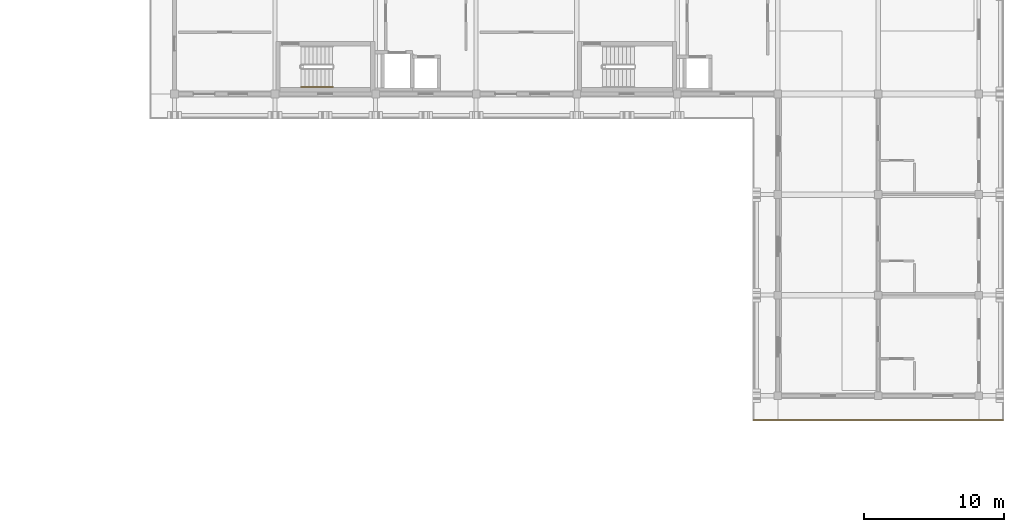
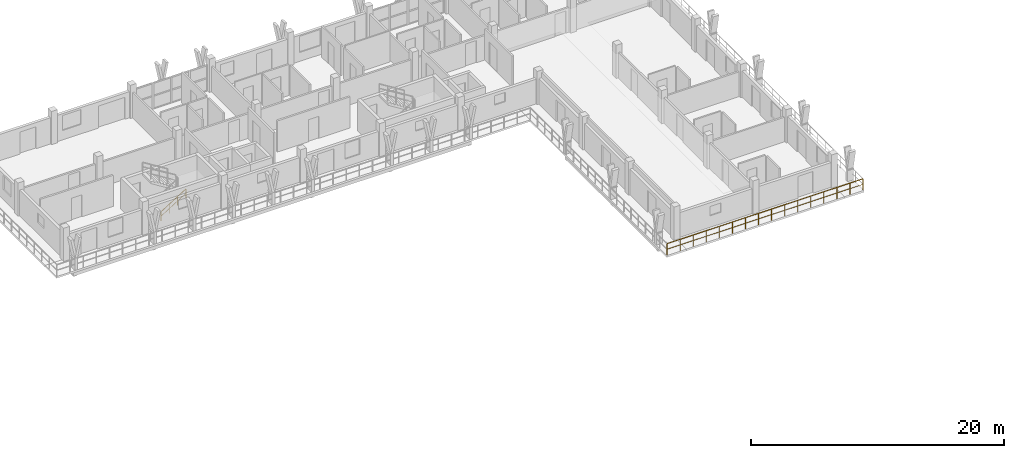
# One storey, part 64 of 67: 2 railings.
"""IFC4 building model written with IfcOpenShell, lengths in metres."""

import ifcopenshell
import ifcopenshell.guid

model = None  # the IFC model being written
_history = None  # IfcOwnerHistory: only IFC2X3 demands one
_inside = {}  # id of a spatial element -> (the spatial element, [elements in it])
_under = {}  # id of a project, library or spatial element -> (it, [spatial elements below it])
_declared = {}  # id of a project -> (the project, [libraries it declares])
_typed = {}  # id of a type object -> (the type object, [elements of that type])
_made_of = {}  # id of a material, layer set ... -> (it, [elements and type objects made of it])


def new_model(schema):
    """Start an empty IFC model of exactly this schema.

    Asked for "IFC4X3", IfcOpenShell would pick the latest addendum, in which some entities
    have other attributes; the version numbers below select the first issue.
    IFC2X3 requires an IfcOwnerHistory on every rooted entity: one is made here for all.
    """
    global model, _history
    if schema == "IFC4X3":
        model = ifcopenshell.file(schema_version=(4, 3, 0, 0))
    else:
        model = ifcopenshell.file(schema=schema)
    _inside.clear()
    _under.clear()
    _declared.clear()
    _typed.clear()
    _made_of.clear()
    _history = None
    if model.schema == "IFC2X3":
        org = make("IfcOrganization", Name="unknown")
        user = make(
            "IfcPersonAndOrganization",
            ThePerson=make("IfcPerson", FamilyName="unknown"),
            TheOrganization=org,
        )
        app = make(
            "IfcApplication",
            ApplicationDeveloper=org,
            Version="unknown",
            ApplicationFullName="unknown",
            ApplicationIdentifier="unknown",
        )
        _history = make(
            "IfcOwnerHistory",
            OwningUser=user,
            OwningApplication=app,
            ChangeAction="ADDED",
            CreationDate=0,
        )
    return model


def make(cls, **values):
    """One entity of the class cls with the attributes given. An attribute that is None is left unset."""
    return model.create_entity(
        cls, **{name: value for name, value in values.items() if value is not None}
    )


def rooted(cls, **values):
    """An entity with a GlobalId (a new one), such as an element, a storey or a relation."""
    return make(cls, GlobalId=ifcopenshell.guid.new(), OwnerHistory=_history, **values)


def si_unit(unit_type, name, prefix=None):
    """IfcSIUnit, for example si_unit("LENGTHUNIT", "METRE", prefix="MILLI")."""
    return make("IfcSIUnit", UnitType=unit_type, Prefix=prefix, Name=name)


def assignment(units):
    """IfcUnitAssignment: the units of a project."""
    return None if units is None else make("IfcUnitAssignment", Units=units)


def point(xyz):
    """IfcCartesianPoint."""
    return None if xyz is None else make("IfcCartesianPoint", Coordinates=xyz)


def direction(xyz):
    """IfcDirection."""
    return None if xyz is None else make("IfcDirection", DirectionRatios=xyz)


def frame(location, z_axis=None, x_axis=None):
    """IfcAxis2Placement3D, a coordinate frame: its origin and axes. An axis left out is left unset."""
    return make(
        "IfcAxis2Placement3D",
        Location=point(location),
        Axis=direction(z_axis),
        RefDirection=direction(x_axis),
    )


def frame_2d(location, x_axis=None):
    """IfcAxis2Placement2D, a coordinate frame in the plane: its origin and x axis."""
    return make(
        "IfcAxis2Placement2D", Location=point(location), RefDirection=direction(x_axis)
    )


def origin():
    """The frame at (0, 0, 0) with its axes left unset."""
    return frame((0.0, 0.0, 0.0))


def origin_2d():
    """The frame at (0, 0) in the plane with its x axis left unset."""
    return frame_2d((0.0, 0.0))


def place(relative_to, where):
    """IfcLocalPlacement: puts the frame where relative to a parent placement (None: the world)."""
    return make(
        "IfcLocalPlacement", PlacementRelTo=relative_to, RelativePlacement=where
    )


def context(
    kind, dimensions, precision=None, world=None, true_north=None, identifier=None
):
    """IfcGeometricRepresentationContext, for example the 3D "Model" context."""
    return make(
        "IfcGeometricRepresentationContext",
        ContextIdentifier=identifier,
        ContextType=kind,
        CoordinateSpaceDimension=dimensions,
        Precision=precision,
        WorldCoordinateSystem=world,
        TrueNorth=true_north,
    )


def subcontext(parent, identifier, kind, view, scale=None):
    """IfcGeometricRepresentationSubContext, for example "Body" below "Model"."""
    return make(
        "IfcGeometricRepresentationSubContext",
        ContextIdentifier=identifier,
        ContextType=kind,
        ParentContext=parent,
        TargetScale=scale,
        TargetView=view,
    )


def project(units=None, contexts=None):
    """IfcProject with its units and contexts."""
    return rooted(
        "IfcProject",
        Name="project",
        RepresentationContexts=contexts,
        UnitsInContext=assignment(units),
    )


def spatial(cls, under=None, at=None, **own):
    """A site, building, storey or space (cls), placed at a placement, below another one or the project."""
    s = rooted(cls, ObjectPlacement=at, **own)
    if under is not None:
        _under.setdefault(under.id(), (under, []))[1].append(s)
    return s


def profile(cls, at=None, kind="AREA", **sizes):
    """A parametric profile (cls). Its sizes go by their IFC names, for example OverallWidth=200.0."""
    return make(cls, ProfileType=kind, Position=at, **sizes)


def rectangle(**sizes):
    """IfcRectangleProfileDef."""
    return profile("IfcRectangleProfileDef", **sizes)


def extrude(swept, where, along, depth):
    """IfcExtrudedAreaSolid: the profile swept, set in the frame where, extruded along a direction by depth."""
    return make(
        "IfcExtrudedAreaSolid",
        SweptArea=swept,
        Position=where,
        ExtrudedDirection=direction(along),
        Depth=depth,
    )


def shape(context_of_items, identifier, shape_type, items):
    """IfcShapeRepresentation: the items that make up one representation, for example the "Body"."""
    return make(
        "IfcShapeRepresentation",
        ContextOfItems=context_of_items,
        RepresentationIdentifier=identifier,
        RepresentationType=shape_type,
        Items=items,
    )


def material(Name=None, Category=None):
    """IfcMaterial."""
    return make("IfcMaterial", Name=Name, Category=Category)


def made_of(thing, what):
    """Note that an element or type object is made of a material, layer set ...; save() writes the relation."""
    if what is not None:
        _made_of.setdefault(what.id(), (what, []))[1].append(thing)
    return thing


def type_object(cls, material=None, **own):
    """A type object (cls), such as IfcWallType, which elements share."""
    return made_of(rooted(cls, **own), material)


def element(
    cls,
    number,
    at=None,
    inside=None,
    cuts=None,
    type_object=None,
    material=None,
    context=None,
    identifier="Body",
    shape_type=None,
    held_by="IfcProductDefinitionShape",
    body=None,
    shapes=None,
    **own,
):
    """One element of the class cls, such as IfcWall. Its Tag is "e" and its number.

    at: its placement. inside: the storey or other place that contains it. cuts: it is an
    opening in that element (IfcRelVoidsElement). A single representation is given by context,
    identifier, shape_type and body (its items); several are given by shapes. held_by: the class
    of the entity that holds the representations. save() writes the other relations.
    """
    e = rooted(cls, Tag="e%d" % number, ObjectPlacement=at, **own)
    if body is not None:
        shapes = [shape(context, identifier, shape_type, body)]
    if shapes is not None:
        e.Representation = make(held_by, Representations=shapes)
    if inside is not None:
        _inside.setdefault(inside.id(), (inside, []))[1].append(e)
    if cuts is not None:
        rooted(
            "IfcRelVoidsElement", RelatingBuildingElement=cuts, RelatedOpeningElement=e
        )
    if type_object is not None:
        _typed.setdefault(type_object.id(), (type_object, []))[1].append(e)
    return made_of(e, material)


def aggregate(whole, parts):
    """IfcRelAggregates: a whole, such as a stair, and the parts it consists of."""
    return rooted("IfcRelAggregates", RelatingObject=whole, RelatedObjects=parts)


def save(model, path):
    """Write the relations noted so far, then the file.

    IfcRelAggregates (storeys below a building ...), IfcRelContainedInSpatialStructure (elements
    in a storey), IfcRelDefinesByType, IfcRelAssociatesMaterial and IfcRelDeclares: one each for
    every whole, place, type object, material and project.
    """
    for whole, parts in _under.values():
        aggregate(whole, parts)
    for where, things in _inside.values():
        rooted(
            "IfcRelContainedInSpatialStructure",
            RelatedElements=things,
            RelatingStructure=where,
        )
    for kind, things in _typed.values():
        rooted("IfcRelDefinesByType", RelatedObjects=things, RelatingType=kind)
    for what, things in _made_of.values():
        rooted("IfcRelAssociatesMaterial", RelatedObjects=things, RelatingMaterial=what)
    for by, libraries in _declared.values():
        rooted("IfcRelDeclares", RelatingContext=by, RelatedDefinitions=libraries)
    model.write(path)


model = new_model("IFC4")

# Units and contexts
model_context = context("Model", 3, precision=1e-05, world=origin(), true_north=direction((0.0, 1.0)))
body_context = subcontext(model_context, "Body", "Model", "MODEL_VIEW")
ifc_project = project(units=[si_unit("LENGTHUNIT", "METRE"), si_unit("AREAUNIT", "SQUARE_METRE"), si_unit("VOLUMEUNIT", "CUBIC_METRE"), si_unit("PLANEANGLEUNIT", "RADIAN"), si_unit("MASSUNIT", "GRAM", prefix="KILO")], contexts=[model_context])

# Site, building, storey
site_placement = place(None, origin())
site = spatial("IfcSite", under=ifc_project, at=site_placement, CompositionType="ELEMENT")
building_placement = place(site_placement, origin())
building = spatial("IfcBuilding", under=site, at=building_placement, Name="Suanplinth Sawtooth Commons", CompositionType="ELEMENT")
storey_placement = place(building_placement, frame((0.0, 0.0, 25.10009765625)))
storey = spatial("IfcBuildingStorey", under=building, at=storey_placement, Name="L07", CompositionType="ELEMENT", Elevation=25.10009765625)

# Railings
ifc_material_1 = material(Name="Powder-coated galvanized steel", Category="steel")
railing_type_1 = type_object("IfcRailingType", Name="GR-01", PredefinedType="BALUSTRADE", material=ifc_material_1)
railing_1_placement = place(storey_placement, frame((188.93994140625, 84.659912109375, 0.0)))
element("IfcRailing", 1, at=railing_1_placement, inside=storey, type_object=railing_type_1, Name="L07 Block B Perimeter Balustrade 6", PredefinedType="BALUSTRADE", context=body_context, shape_type="SweptSolid", body=[
    extrude(rectangle(XDim=0.048095703125, YDim=0.048095703125, at=origin_2d()), frame((0.0, 0.0, 1.09619140625), z_axis=(-1.0, 0.0, 0.0), x_axis=(0.0, -1.0, 0.0)), (0.0, 0.0, 1.0), 17.8798828125),
    extrude(rectangle(XDim=0.03369140625, YDim=0.03369140625, at=origin_2d()), frame((0.0, 0.0, 0.56005859375), z_axis=(-1.0, 0.0, 0.0), x_axis=(0.0, -1.0, 0.0)), (0.0, 0.0, 1.0), 17.8798828125),
    extrude(rectangle(XDim=0.0419921875, YDim=0.0419921875, at=origin_2d()), origin(), (0.0, 0.0, 1.0), 1.072021484375),
    extrude(rectangle(XDim=0.0419921875, YDim=0.0419921875, at=origin_2d()), frame((-1.19189453125, 0.0, 0.0)), (0.0, 0.0, 1.0), 1.072021484375),
    extrude(rectangle(XDim=0.0419921875, YDim=0.0419921875, at=origin_2d()), frame((-2.384033203125, 0.0, 0.0)), (0.0, 0.0, 1.0), 1.072021484375),
    extrude(rectangle(XDim=0.0419921875, YDim=0.0419921875, at=origin_2d()), frame((-3.575927734375, 0.0, 0.0)), (0.0, 0.0, 1.0), 1.072021484375),
    extrude(rectangle(XDim=0.0419921875, YDim=0.0419921875, at=origin_2d()), frame((-4.76806640625, 0.0, 0.0)), (0.0, 0.0, 1.0), 1.072021484375),
    extrude(rectangle(XDim=0.0419921875, YDim=0.0419921875, at=origin_2d()), frame((-5.9599609375, 0.0, 0.0)), (0.0, 0.0, 1.0), 1.072021484375),
    extrude(rectangle(XDim=0.0419921875, YDim=0.0419921875, at=origin_2d()), frame((-7.15185546875, 0.0, 0.0)), (0.0, 0.0, 1.0), 1.072021484375),
    extrude(rectangle(XDim=0.0419921875, YDim=0.0419921875, at=origin_2d()), frame((-8.343994140625, 0.0, 0.0)), (0.0, 0.0, 1.0), 1.072021484375),
    extrude(rectangle(XDim=0.0419921875, YDim=0.0419921875, at=origin_2d()), frame((-9.535888671875, 0.0, 0.0)), (0.0, 0.0, 1.0), 1.072021484375),
    extrude(rectangle(XDim=0.0419921875, YDim=0.0419921875, at=origin_2d()), frame((-10.72802734375, 0.0, 0.0)), (0.0, 0.0, 1.0), 1.072021484375),
    extrude(rectangle(XDim=0.0419921875, YDim=0.0419921875, at=origin_2d()), frame((-11.919921875, 0.0, 0.0)), (0.0, 0.0, 1.0), 1.072021484375),
    extrude(rectangle(XDim=0.0419921875, YDim=0.0419921875, at=origin_2d()), frame((-13.11181640625, 0.0, 0.0)), (0.0, 0.0, 1.0), 1.072021484375),
    extrude(rectangle(XDim=0.0419921875, YDim=0.0419921875, at=origin_2d()), frame((-14.303955078125, 0.0, 0.0)), (0.0, 0.0, 1.0), 1.072021484375),
    extrude(rectangle(XDim=0.0419921875, YDim=0.0419921875, at=origin_2d()), frame((-15.495849609375, 0.0, 0.0)), (0.0, 0.0, 1.0), 1.072021484375),
    extrude(rectangle(XDim=0.0419921875, YDim=0.0419921875, at=origin_2d()), frame((-16.68798828125, 0.0, 0.0)), (0.0, 0.0, 1.0), 1.072021484375),
    extrude(rectangle(XDim=0.0419921875, YDim=0.0419921875, at=origin_2d()), frame((-17.8798828125, 0.0, 0.0)), (0.0, 0.0, 1.0), 1.072021484375),
])
ifc_material_2 = material(Name="Stainless steel Grade 304", Category="steel")
railing_type_2 = type_object("IfcRailingType", Name="HR-01", PredefinedType="HANDRAIL", material=ifc_material_2)
railing_2_placement = place(storey_placement, frame((138.64990234375, 108.5, 0.177734375)))
element("IfcRailing", 2, at=railing_2_placement, inside=storey, type_object=railing_type_2, Name="L07 ST-E1 Handrail 1", PredefinedType="HANDRAIL", context=body_context, shape_type="SweptSolid", body=[
    extrude(rectangle(XDim=0.048095703125, YDim=0.048095703125, at=origin_2d()), frame((0.0, 0.0, 0.8759765625), z_axis=(0.848482842525, 0.0, 0.529222888715), x_axis=(0.0, 1.0, 0.0)), (0.0, 0.0, 1.0), 2.687255859375),
    extrude(rectangle(XDim=0.03369140625, YDim=0.03369140625, at=origin_2d()), frame((0.0, 0.0, 0.449951171875), z_axis=(0.848482842525, 0.0, 0.529222888715), x_axis=(0.0, 1.0, 0.0)), (0.0, 0.0, 1.0), 2.687255859375),
    extrude(rectangle(XDim=0.0419921875, YDim=0.0419921875, at=origin_2d()), origin(), (0.0, 0.0, 1.0), 0.851806640625),
    extrude(rectangle(XDim=0.0419921875, YDim=0.0419921875, at=origin_2d()), frame((0.760009765625, 0.0, 0.47412109375)), (0.0, 0.0, 1.0), 0.851806640625),
    extrude(rectangle(XDim=0.0419921875, YDim=0.0419921875, at=origin_2d()), frame((1.52001953125, 0.0, 0.947998046875)), (0.0, 0.0, 1.0), 0.851806640625),
    extrude(rectangle(XDim=0.0419921875, YDim=0.0419921875, at=origin_2d()), frame((2.280029296875, 0.0, 1.422119140625)), (0.0, 0.0, 1.0), 0.851806640625),
])

save(model, "model.ifc")
